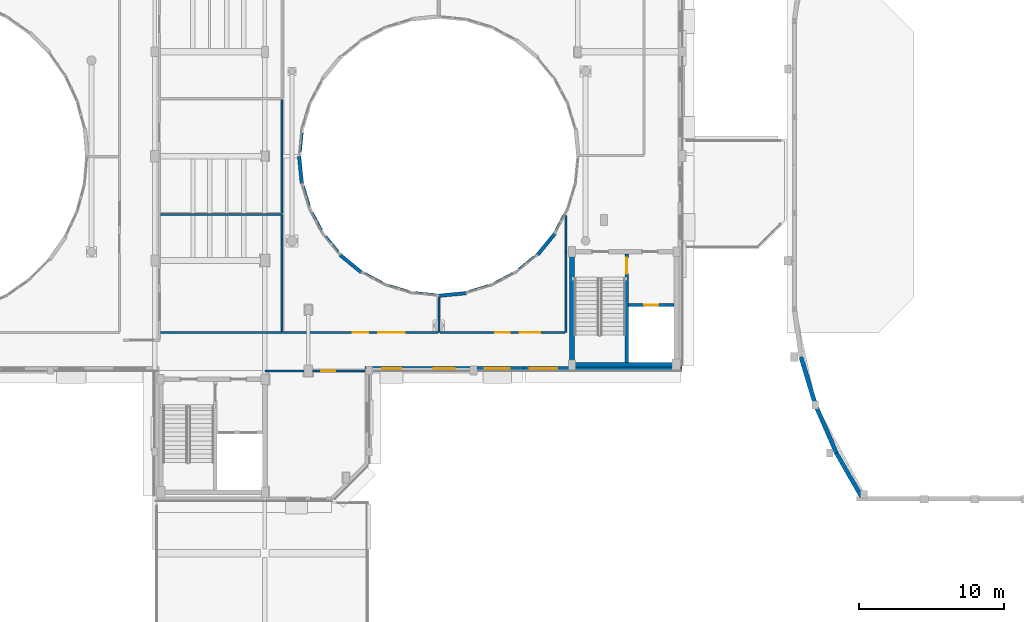
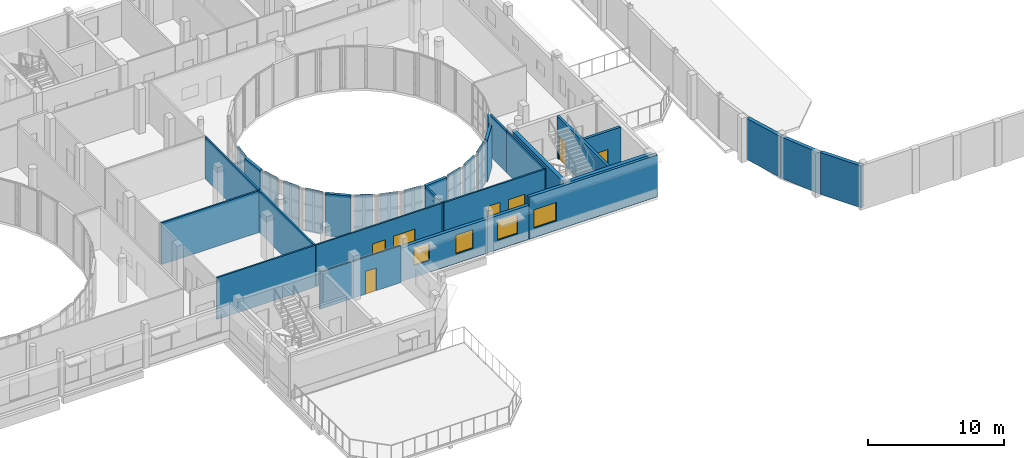
# One storey, part 69 of 89: 34 walls, 6 windows, 5 doors, 11 openings.
"""IFC4 building model written with IfcOpenShell, lengths in metres."""

import ifcopenshell
import ifcopenshell.guid

model = None  # the IFC model being written
_history = None  # IfcOwnerHistory: only IFC2X3 demands one
_inside = {}  # id of a spatial element -> (the spatial element, [elements in it])
_under = {}  # id of a project, library or spatial element -> (it, [spatial elements below it])
_declared = {}  # id of a project -> (the project, [libraries it declares])
_typed = {}  # id of a type object -> (the type object, [elements of that type])
_made_of = {}  # id of a material, layer set ... -> (it, [elements and type objects made of it])


def new_model(schema):
    """Start an empty IFC model of exactly this schema.

    Asked for "IFC4X3", IfcOpenShell would pick the latest addendum, in which some entities
    have other attributes; the version numbers below select the first issue.
    IFC2X3 requires an IfcOwnerHistory on every rooted entity: one is made here for all.
    """
    global model, _history
    if schema == "IFC4X3":
        model = ifcopenshell.file(schema_version=(4, 3, 0, 0))
    else:
        model = ifcopenshell.file(schema=schema)
    _inside.clear()
    _under.clear()
    _declared.clear()
    _typed.clear()
    _made_of.clear()
    _history = None
    if model.schema == "IFC2X3":
        org = make("IfcOrganization", Name="unknown")
        user = make(
            "IfcPersonAndOrganization",
            ThePerson=make("IfcPerson", FamilyName="unknown"),
            TheOrganization=org,
        )
        app = make(
            "IfcApplication",
            ApplicationDeveloper=org,
            Version="unknown",
            ApplicationFullName="unknown",
            ApplicationIdentifier="unknown",
        )
        _history = make(
            "IfcOwnerHistory",
            OwningUser=user,
            OwningApplication=app,
            ChangeAction="ADDED",
            CreationDate=0,
        )
    return model


def make(cls, **values):
    """One entity of the class cls with the attributes given. An attribute that is None is left unset."""
    return model.create_entity(
        cls, **{name: value for name, value in values.items() if value is not None}
    )


def rooted(cls, **values):
    """An entity with a GlobalId (a new one), such as an element, a storey or a relation."""
    return make(cls, GlobalId=ifcopenshell.guid.new(), OwnerHistory=_history, **values)


def si_unit(unit_type, name, prefix=None):
    """IfcSIUnit, for example si_unit("LENGTHUNIT", "METRE", prefix="MILLI")."""
    return make("IfcSIUnit", UnitType=unit_type, Prefix=prefix, Name=name)


def assignment(units):
    """IfcUnitAssignment: the units of a project."""
    return None if units is None else make("IfcUnitAssignment", Units=units)


def point(xyz):
    """IfcCartesianPoint."""
    return None if xyz is None else make("IfcCartesianPoint", Coordinates=xyz)


def direction(xyz):
    """IfcDirection."""
    return None if xyz is None else make("IfcDirection", DirectionRatios=xyz)


def frame(location, z_axis=None, x_axis=None):
    """IfcAxis2Placement3D, a coordinate frame: its origin and axes. An axis left out is left unset."""
    return make(
        "IfcAxis2Placement3D",
        Location=point(location),
        Axis=direction(z_axis),
        RefDirection=direction(x_axis),
    )


def frame_2d(location, x_axis=None):
    """IfcAxis2Placement2D, a coordinate frame in the plane: its origin and x axis."""
    return make(
        "IfcAxis2Placement2D", Location=point(location), RefDirection=direction(x_axis)
    )


def origin():
    """The frame at (0, 0, 0) with its axes left unset."""
    return frame((0.0, 0.0, 0.0))


def place(relative_to, where):
    """IfcLocalPlacement: puts the frame where relative to a parent placement (None: the world)."""
    return make(
        "IfcLocalPlacement", PlacementRelTo=relative_to, RelativePlacement=where
    )


def context(
    kind, dimensions, precision=None, world=None, true_north=None, identifier=None
):
    """IfcGeometricRepresentationContext, for example the 3D "Model" context."""
    return make(
        "IfcGeometricRepresentationContext",
        ContextIdentifier=identifier,
        ContextType=kind,
        CoordinateSpaceDimension=dimensions,
        Precision=precision,
        WorldCoordinateSystem=world,
        TrueNorth=true_north,
    )


def subcontext(parent, identifier, kind, view, scale=None):
    """IfcGeometricRepresentationSubContext, for example "Body" below "Model"."""
    return make(
        "IfcGeometricRepresentationSubContext",
        ContextIdentifier=identifier,
        ContextType=kind,
        ParentContext=parent,
        TargetScale=scale,
        TargetView=view,
    )


def project(units=None, contexts=None):
    """IfcProject with its units and contexts."""
    return rooted(
        "IfcProject",
        Name="project",
        RepresentationContexts=contexts,
        UnitsInContext=assignment(units),
    )


def spatial(cls, under=None, at=None, **own):
    """A site, building, storey or space (cls), placed at a placement, below another one or the project."""
    s = rooted(cls, ObjectPlacement=at, **own)
    if under is not None:
        _under.setdefault(under.id(), (under, []))[1].append(s)
    return s


def profile(cls, at=None, kind="AREA", **sizes):
    """A parametric profile (cls). Its sizes go by their IFC names, for example OverallWidth=200.0."""
    return make(cls, ProfileType=kind, Position=at, **sizes)


def rectangle(**sizes):
    """IfcRectangleProfileDef."""
    return profile("IfcRectangleProfileDef", **sizes)


def extrude(swept, where, along, depth):
    """IfcExtrudedAreaSolid: the profile swept, set in the frame where, extruded along a direction by depth."""
    return make(
        "IfcExtrudedAreaSolid",
        SweptArea=swept,
        Position=where,
        ExtrudedDirection=direction(along),
        Depth=depth,
    )


def shape(context_of_items, identifier, shape_type, items):
    """IfcShapeRepresentation: the items that make up one representation, for example the "Body"."""
    return make(
        "IfcShapeRepresentation",
        ContextOfItems=context_of_items,
        RepresentationIdentifier=identifier,
        RepresentationType=shape_type,
        Items=items,
    )


def material(Name=None, Category=None):
    """IfcMaterial."""
    return make("IfcMaterial", Name=Name, Category=Category)


def layer(
    of_material, thickness, ventilated=None, Name=None, Category=None, Priority=None
):
    """IfcMaterialLayer: one layer of a wall or slab, of a material (None: an air gap)."""
    return make(
        "IfcMaterialLayer",
        Material=of_material,
        LayerThickness=thickness,
        IsVentilated=ventilated,
        Name=Name,
        Category=Category,
        Priority=Priority,
    )


def layer_set(layers, Name=None):
    """IfcMaterialLayerSet."""
    return make("IfcMaterialLayerSet", MaterialLayers=layers, LayerSetName=Name)


def made_of(thing, what):
    """Note that an element or type object is made of a material, layer set ...; save() writes the relation."""
    if what is not None:
        _made_of.setdefault(what.id(), (what, []))[1].append(thing)
    return thing


def type_object(cls, material=None, **own):
    """A type object (cls), such as IfcWallType, which elements share."""
    return made_of(rooted(cls, **own), material)


def element(
    cls,
    number,
    at=None,
    inside=None,
    cuts=None,
    type_object=None,
    material=None,
    context=None,
    identifier="Body",
    shape_type=None,
    held_by="IfcProductDefinitionShape",
    body=None,
    shapes=None,
    **own,
):
    """One element of the class cls, such as IfcWall. Its Tag is "e" and its number.

    at: its placement. inside: the storey or other place that contains it. cuts: it is an
    opening in that element (IfcRelVoidsElement). A single representation is given by context,
    identifier, shape_type and body (its items); several are given by shapes. held_by: the class
    of the entity that holds the representations. save() writes the other relations.
    """
    e = rooted(cls, Tag="e%d" % number, ObjectPlacement=at, **own)
    if body is not None:
        shapes = [shape(context, identifier, shape_type, body)]
    if shapes is not None:
        e.Representation = make(held_by, Representations=shapes)
    if inside is not None:
        _inside.setdefault(inside.id(), (inside, []))[1].append(e)
    if cuts is not None:
        rooted(
            "IfcRelVoidsElement", RelatingBuildingElement=cuts, RelatedOpeningElement=e
        )
    if type_object is not None:
        _typed.setdefault(type_object.id(), (type_object, []))[1].append(e)
    return made_of(e, material)


def fill(opening, filler):
    """IfcRelFillsElement: the door or window that sits in an opening."""
    return rooted(
        "IfcRelFillsElement",
        RelatingOpeningElement=opening,
        RelatedBuildingElement=filler,
    )


def aggregate(whole, parts):
    """IfcRelAggregates: a whole, such as a stair, and the parts it consists of."""
    return rooted("IfcRelAggregates", RelatingObject=whole, RelatedObjects=parts)


def save(model, path):
    """Write the relations noted so far, then the file.

    IfcRelAggregates (storeys below a building ...), IfcRelContainedInSpatialStructure (elements
    in a storey), IfcRelDefinesByType, IfcRelAssociatesMaterial and IfcRelDeclares: one each for
    every whole, place, type object, material and project.
    """
    for whole, parts in _under.values():
        aggregate(whole, parts)
    for where, things in _inside.values():
        rooted(
            "IfcRelContainedInSpatialStructure",
            RelatedElements=things,
            RelatingStructure=where,
        )
    for kind, things in _typed.values():
        rooted("IfcRelDefinesByType", RelatedObjects=things, RelatingType=kind)
    for what, things in _made_of.values():
        rooted("IfcRelAssociatesMaterial", RelatedObjects=things, RelatingMaterial=what)
    for by, libraries in _declared.values():
        rooted("IfcRelDeclares", RelatingContext=by, RelatedDefinitions=libraries)
    model.write(path)


model = new_model("IFC4")

# Units and contexts
model_context = context("Model", 3, precision=1e-05, world=origin(), true_north=direction((0.0, 1.0)))
body_context = subcontext(model_context, "Body", "Model", "MODEL_VIEW")
ifc_project = project(units=[si_unit("LENGTHUNIT", "METRE"), si_unit("AREAUNIT", "SQUARE_METRE"), si_unit("VOLUMEUNIT", "CUBIC_METRE"), si_unit("PLANEANGLEUNIT", "RADIAN"), si_unit("MASSUNIT", "GRAM", prefix="KILO")], contexts=[model_context])

# Site, building, storey
site_placement = place(None, origin())
site = spatial("IfcSite", under=ifc_project, at=site_placement, CompositionType="ELEMENT")
building_placement = place(site_placement, origin())
building = spatial("IfcBuilding", under=site, at=building_placement, Name="Kelanivale Promenade Academy", CompositionType="ELEMENT")
storey_placement = place(building_placement, frame((0.0, 0.0, 12.199951171875)))
storey = spatial("IfcBuildingStorey", under=building, at=storey_placement, Name="L03", CompositionType="ELEMENT", Elevation=12.199951171875)

# Walls
ifc_material_1 = material(Name="Concrete C40/50", Category="concrete")
ifc_layer_1 = layer(ifc_material_1, 0.330078125)
ifc_layer_set_1 = layer_set([ifc_layer_1], Name="Concrete C40/50")
wall_type_1 = type_object("IfcWallType", Name="CW-S1 Wall 330mm", PredefinedType="SHEAR", material=ifc_layer_set_1)
wall_1_placement = place(storey_placement, frame((107.8349609375, 42.39990234375, 0.0), z_axis=(0.0, 0.0, 1.0), x_axis=(1.0, 0.0, 0.0)))
element("IfcWall", 1, at=wall_1_placement, inside=storey, type_object=wall_type_1, Name="CORE-3 RC shear wall S L03", PredefinedType="SHEAR", context=body_context, shape_type="SweptSolid", body=[
    extrude(rectangle(XDim=7.530029296875, YDim=0.330078125, at=frame_2d((3.76513671875, 0.0))), origin(), (0.0, 0.0, 1.0), 3.780029296875),
])
wall_2_placement = place(storey_placement, frame((108.0, 42.56494140625, 0.0), z_axis=(0.0, 0.0, 1.0), x_axis=(0.0, 1.0, 0.0)))
element("IfcWall", 2, at=wall_2_placement, inside=storey, type_object=wall_type_1, Name="CORE-3 RC shear wall W L03", PredefinedType="SHEAR", context=body_context, shape_type="SweptSolid", body=[
    extrude(rectangle(XDim=7.469970703125, YDim=0.330078125, at=frame_2d((3.73486328125, 0.0))), origin(), (0.0, 0.0, 1.0), 3.780029296875),
])

# Wall, opening, door
ifc_layer_2 = layer(ifc_material_1, 0.22509765625)
ifc_layer_set_2 = layer_set([ifc_layer_2], Name="Concrete C40/50")
wall_type_2 = type_object("IfcWallType", Name="CW-S2 Wall 225mm", PredefinedType="SHEAR", material=ifc_layer_set_2)
wall_3_placement = place(storey_placement, frame((111.885009765625, 46.530029296875, 0.0), z_axis=(0.0, 0.0, 1.0), x_axis=(1.0, 0.0, 0.0)))
wall_3 = element("IfcWall", 3, at=wall_3_placement, inside=storey, type_object=wall_type_2, Name="CORE-3 lift shaft front RC wall L03", PredefinedType="SHEAR", context=body_context, shape_type="SweptSolid", body=[
    extrude(rectangle(XDim=3.14990234375, YDim=0.22509765625, at=frame_2d((1.574951171875, 0.0))), origin(), (0.0, 0.0, 1.0), 3.780029296875),
])
opening_1_placement = place(wall_3_placement, frame((1.10009765625, 0.0, 0.0)))
opening_1 = element("IfcOpeningElement", 4, at=opening_1_placement, cuts=wall_3, Name="Opening LD-LF-FF3-L03", PredefinedType="OPENING", context=body_context, shape_type="SweptSolid", body=[
    extrude(rectangle(XDim=0.949951171875, YDim=2.14990234375, at=frame_2d((0.47509765625, 1.074951171875))), frame((0.0, 0.12255859375, 0.0), z_axis=(0.0, -1.0, 0.0), x_axis=(1.0, 0.0, 0.0)), (0.0, 0.0, 1.0), 0.2451171875),
])
ifc_material_2 = material(Name="Fire-rated steel-core teak veneer", Category="steel")
door_type_1 = type_object("IfcDoorType", Name="LD-FF1 Door 950x2150", OperationType="NOTDEFINED", PredefinedType="DOOR", material=ifc_material_2)
door_1_placement = place(opening_1_placement, origin())
door_1 = element("IfcDoor", 5, at=door_1_placement, inside=storey, type_object=door_type_1, Name="Firefighting lift landing door LD-LF-FF3-L03", OperationType="SLIDING_TO_LEFT", OverallHeight=2.14990234375, OverallWidth=0.949951171875, PredefinedType="DOOR", context=body_context, shape_type="SweptSolid", body=[
    extrude(rectangle(XDim=0.949951171875, YDim=2.14990234375, at=frame_2d((0.47509765625, 1.074951171875))), frame((0.0, 0.02490234375, 0.0), z_axis=(0.0, -1.0, 0.0), x_axis=(1.0, 0.0, 0.0)), (0.0, 0.0, 1.0), 0.050048828125),
])
fill(opening_1, door_1)

ifc_layer_3 = layer(ifc_material_1, 0.219970703125)
ifc_layer_set_3 = layer_set([ifc_layer_3], Name="Concrete C40/50")
wall_type_3 = type_object("IfcWallType", Name="CW-S3 Wall 220mm", PredefinedType="SHEAR", material=ifc_layer_set_3)
wall_4_placement = place(storey_placement, frame((111.77490234375, 42.56494140625, 0.0), z_axis=(0.0, 0.0, 1.0), x_axis=(0.0, 1.0, 0.0)))
wall_4 = element("IfcWall", 6, at=wall_4_placement, inside=storey, type_object=wall_type_3, Name="CORE-3 stair-lobby dividing RC wall L03", PredefinedType="SHEAR", context=body_context, shape_type="SweptSolid", body=[
    extrude(rectangle(XDim=7.469970703125, YDim=0.219970703125, at=frame_2d((3.73486328125, 0.0))), origin(), (0.0, 0.0, 1.0), 3.780029296875),
])
opening_2_placement = place(wall_4_placement, frame((6.1201171875, 0.0, 0.0)))
opening_2 = element("IfcOpeningElement", 7, at=opening_2_placement, cuts=wall_4, Name="Opening FD-CORE-3-SL-L03", PredefinedType="OPENING", context=body_context, shape_type="SweptSolid", body=[
    extrude(rectangle(XDim=1.10009765625, YDim=2.14990234375, at=frame_2d((0.550048828125, 1.074951171875))), frame((0.0, 0.1201171875, 0.0), z_axis=(0.0, -1.0, 0.0), x_axis=(1.0, 0.0, 0.0)), (0.0, 0.0, 1.0), 0.239990234375),
])
door_type_2 = type_object("IfcDoorType", Name="DT-F01 Door 1100x2150", OperationType="NOTDEFINED", PredefinedType="DOOR", material=ifc_material_2)
door_2_placement = place(opening_2_placement, origin())
door_2 = element("IfcDoor", 8, at=door_2_placement, inside=storey, type_object=door_type_2, Name="CORE-3 lobby-to-stair fire door L03", OperationType="SINGLE_SWING_RIGHT", OverallHeight=2.14990234375, OverallWidth=1.10009765625, PredefinedType="DOOR", context=body_context, shape_type="SweptSolid", body=[
    extrude(rectangle(XDim=1.10009765625, YDim=2.14990234375, at=frame_2d((0.550048828125, 1.074951171875))), frame((0.0, 0.02490234375, 0.0), z_axis=(0.0, -1.0, 0.0), x_axis=(1.0, 0.0, 0.0)), (0.0, 0.0, 1.0), 0.050048828125),
])
fill(opening_2, door_2)

# Walls
ifc_material_3 = material(Name="Insulated terracotta-clad masonry wall 300 mm", Category="masonry")
ifc_layer_4 = layer(ifc_material_3, 0.300048828125)
ifc_layer_set_4 = layer_set([ifc_layer_4], Name="Insulated terracotta-clad masonry wall 300 mm")
wall_type_4 = type_object("IfcWallType", Name="EW-01 Wall 300mm", PredefinedType="SOLIDWALL", material=ifc_layer_set_4)
wall_5_placement = place(storey_placement, frame((126.25, 36.31396484375, 0.0), z_axis=(0.0, 0.0, 1.0), x_axis=(0.497392560198, -0.867525585248, 0.0)))
element("IfcWall", 9, at=wall_5_placement, inside=storey, type_object=wall_type_4, Name="Assembly Hall Arc Pavilion inner crescent wall L03", PredefinedType="SOLIDWALL", context=body_context, shape_type="SweptSolid", body=[
    extrude(rectangle(XDim=3.47998046875, YDim=0.300048828125, at=frame_2d((1.739990234375, 0.0))), origin(), (0.0, 0.0, 1.0), 3.780029296875),
])
wall_6_placement = place(storey_placement, frame((124.800048828125, 39.62890625, 0.0), z_axis=(0.0, 0.0, 1.0), x_axis=(0.400740958437, -0.916191401526, 0.0)))
element("IfcWall", 10, at=wall_6_placement, inside=storey, type_object=wall_type_4, Name="Assembly Hall Arc Pavilion inner crescent wall L03", PredefinedType="SOLIDWALL", context=body_context, shape_type="SweptSolid", body=[
    extrude(rectangle(XDim=3.6181640625, YDim=0.300048828125, at=frame_2d((1.80908203125, 0.0))), origin(), (0.0, 0.0, 1.0), 3.695068359375),
])
wall_7_placement = place(storey_placement, frame((123.800048828125, 42.943115234375, 0.0), z_axis=(0.0, 0.0, 1.0), x_axis=(0.288868004026, -0.957368934241, 0.0)))
element("IfcWall", 11, at=wall_7_placement, inside=storey, type_object=wall_type_4, Name="Assembly Hall Arc Pavilion inner crescent wall L03", PredefinedType="SOLIDWALL", context=body_context, shape_type="SweptSolid", body=[
    extrude(rectangle(XDim=3.461669921875, YDim=0.300048828125, at=frame_2d((1.73095703125, 0.0))), origin(), (0.0, 0.0, 1.0), 3.695068359375),
])

# Wall, openings, windows
ifc_material_4 = material(Name="Insulated ivory stucco masonry wall 280 mm", Category="masonry")
ifc_layer_5 = layer(ifc_material_4, 0.280029296875)
ifc_layer_set_5 = layer_set([ifc_layer_5], Name="Insulated ivory stucco masonry wall 280 mm")
wall_type_5 = type_object("IfcWallType", Name="EW-02 Wall 280mm", PredefinedType="SOLIDWALL", material=ifc_layer_set_5)
wall_8_placement = place(storey_placement, frame((93.719970703125, 42.139892578125, 0.0), z_axis=(0.0, 0.0, 1.0), x_axis=(1.0, 0.0, 0.0)))
wall_8 = element("IfcWall", 12, at=wall_8_placement, inside=storey, type_object=wall_type_5, Name="L03 exterior facade wall EW-L03-ORT-0468", PredefinedType="SOLIDWALL", context=body_context, shape_type="SweptSolid", body=[
    extrude(rectangle(XDim=10.93994140625, YDim=0.280029296875, at=frame_2d((5.469970703125, 0.0))), origin(), (0.0, 0.0, 1.0), 3.06005859375),
])
opening_3_placement = place(wall_8_placement, frame((1.173095703125, 0.0, 1.050048828125)))
opening_3 = element("IfcOpeningElement", 13, at=opening_3_placement, cuts=wall_8, Name="Opening WT-23", PredefinedType="OPENING", context=body_context, shape_type="SweptSolid", body=[
    extrude(rectangle(XDim=1.300048828125, YDim=1.60009765625, at=frame_2d((0.64990234375, 0.800048828125))), frame((0.0, 0.14990234375, 0.0), z_axis=(0.0, -1.0, 0.0), x_axis=(1.0, 0.0, 0.0)), (0.0, 0.0, 1.0), 0.300048828125),
])
opening_4_placement = place(wall_8_placement, frame((4.7451171875, 0.0, 0.85009765625)))
opening_4 = element("IfcOpeningElement", 14, at=opening_4_placement, cuts=wall_8, Name="Opening WT-24", PredefinedType="OPENING", context=body_context, shape_type="SweptSolid", body=[
    extrude(rectangle(XDim=1.449951171875, YDim=1.699951171875, at=frame_2d((0.72509765625, 0.85009765625))), frame((0.0, 0.14990234375, 0.0), z_axis=(0.0, -1.0, 0.0), x_axis=(1.0, 0.0, 0.0)), (0.0, 0.0, 1.0), 0.300048828125),
])
opening_5_placement = place(wall_8_placement, frame((8.26708984375, 0.0, 0.85009765625)))
opening_5 = element("IfcOpeningElement", 15, at=opening_5_placement, cuts=wall_8, Name="Opening WT-25", PredefinedType="OPENING", context=body_context, shape_type="SweptSolid", body=[
    extrude(rectangle(XDim=1.699951171875, YDim=1.75, at=frame_2d((0.85009765625, 0.875))), frame((0.0, 0.14990234375, 0.0), z_axis=(0.0, -1.0, 0.0), x_axis=(1.0, 0.0, 0.0)), (0.0, 0.0, 1.0), 0.300048828125),
])
ifc_material_5 = material(Name="Bronze anodised aluminium frame with low-E laminated glass", Category="aluminium")
window_type_1 = type_object("IfcWindowType", Name="WT-23 Window 1300x1600", PartitioningType="SINGLE_PANEL", PredefinedType="WINDOW", material=ifc_material_5)
window_1_placement = place(opening_3_placement, origin())
window_1 = element("IfcWindow", 16, at=window_1_placement, inside=storey, type_object=window_type_1, Name="Window WT-23", OverallHeight=1.60009765625, OverallWidth=1.300048828125, PartitioningType="SINGLE_PANEL", PredefinedType="WINDOW", context=body_context, shape_type="SweptSolid", body=[
    extrude(rectangle(XDim=1.300048828125, YDim=1.60009765625, at=frame_2d((0.64990234375, 0.800048828125))), frame((0.0, 0.030029296875, 0.0), z_axis=(0.0, -1.0, 0.0), x_axis=(1.0, 0.0, 0.0)), (0.0, 0.0, 1.0), 0.06005859375),
])
fill(opening_3, window_1)
window_type_2 = type_object("IfcWindowType", Name="WT-24 Window 1450x1700", PartitioningType="SINGLE_PANEL", PredefinedType="WINDOW", material=ifc_material_5)
window_2_placement = place(opening_4_placement, origin())
window_2 = element("IfcWindow", 17, at=window_2_placement, inside=storey, type_object=window_type_2, Name="Window WT-24", OverallHeight=1.699951171875, OverallWidth=1.449951171875, PartitioningType="SINGLE_PANEL", PredefinedType="WINDOW", context=body_context, shape_type="SweptSolid", body=[
    extrude(rectangle(XDim=1.449951171875, YDim=1.699951171875, at=frame_2d((0.72509765625, 0.85009765625))), frame((0.0, 0.030029296875, 0.0), z_axis=(0.0, -1.0, 0.0), x_axis=(1.0, 0.0, 0.0)), (0.0, 0.0, 1.0), 0.06005859375),
])
fill(opening_4, window_2)
window_type_3 = type_object("IfcWindowType", Name="WT-25 Window 1700x1750", PartitioningType="SINGLE_PANEL", PredefinedType="WINDOW", material=ifc_material_5)
window_3_placement = place(opening_5_placement, origin())
window_3 = element("IfcWindow", 18, at=window_3_placement, inside=storey, type_object=window_type_3, Name="Window WT-25", OverallHeight=1.75, OverallWidth=1.699951171875, PartitioningType="SINGLE_PANEL", PredefinedType="WINDOW", context=body_context, shape_type="SweptSolid", body=[
    extrude(rectangle(XDim=1.699951171875, YDim=1.75, at=frame_2d((0.85009765625, 0.875))), frame((0.0, 0.030029296875, 0.0), z_axis=(0.0, -1.0, 0.0), x_axis=(1.0, 0.0, 0.0)), (0.0, 0.0, 1.0), 0.06005859375),
])
fill(opening_5, window_3)

# Wall, opening, window
wall_9_placement = place(storey_placement, frame((104.659912109375, 42.139892578125, 0.0), z_axis=(0.0, 0.0, 1.0), x_axis=(1.0, 0.0, 0.0)))
wall_9 = element("IfcWall", 19, at=wall_9_placement, inside=storey, type_object=wall_type_5, Name="L03 exterior facade wall EW-L03-ORT-0469", PredefinedType="SOLIDWALL", context=body_context, shape_type="SweptSolid", body=[
    extrude(rectangle(XDim=10.940185546875, YDim=0.280029296875, at=frame_2d((5.47021484375, 0.0))), origin(), (0.0, 0.0, 1.0), 3.780029296875),
])
opening_6_placement = place(wall_9_placement, frame((0.423095703125, 0.0, 0.85009765625)))
opening_6 = element("IfcOpeningElement", 20, at=opening_6_placement, cuts=wall_9, Name="Opening WT-26", PredefinedType="OPENING", context=body_context, shape_type="SweptSolid", body=[
    extrude(rectangle(XDim=1.89990234375, YDim=1.64990234375, at=frame_2d((0.949951171875, 0.824951171875))), frame((0.0, 0.14990234375, 0.0), z_axis=(0.0, -1.0, 0.0), x_axis=(1.0, 0.0, 0.0)), (0.0, 0.0, 1.0), 0.300048828125),
])
window_type_4 = type_object("IfcWindowType", Name="WT-26 Window 1900x1650", PartitioningType="SINGLE_PANEL", PredefinedType="WINDOW", material=ifc_material_5)
window_4_placement = place(opening_6_placement, origin())
window_4 = element("IfcWindow", 21, at=window_4_placement, inside=storey, type_object=window_type_4, Name="Window WT-26", OverallHeight=1.64990234375, OverallWidth=1.89990234375, PartitioningType="SINGLE_PANEL", PredefinedType="WINDOW", context=body_context, shape_type="SweptSolid", body=[
    extrude(rectangle(XDim=1.89990234375, YDim=1.64990234375, at=frame_2d((0.949951171875, 0.824951171875))), frame((0.0, 0.030029296875, 0.0), z_axis=(0.0, -1.0, 0.0), x_axis=(1.0, 0.0, 0.0)), (0.0, 0.0, 1.0), 0.06005859375),
])
fill(opening_6, window_4)

# Walls
ifc_material_6 = material(Name="Insulated courtyard stucco masonry wall 240 mm", Category="masonry")
ifc_layer_6 = layer(ifc_material_6, 0.239990234375)
ifc_layer_set_6 = layer_set([ifc_layer_6], Name="Insulated courtyard stucco masonry wall 240 mm")
wall_type_6 = type_object("IfcWallType", Name="EW-04 Wall 240mm", PredefinedType="SOLIDWALL", material=ifc_layer_set_6)
wall_10_placement = place(storey_placement, frame((89.158935546875, 56.81103515625, 0.0), z_axis=(0.0, 0.0, 1.0), x_axis=(0.097797060374, -0.995206378086, 0.0)))
element("IfcWall", 22, at=wall_10_placement, inside=storey, type_object=wall_type_6, Name="L03 round courtyard stucco wall", PredefinedType="SOLIDWALL", context=body_context, shape_type="SweptSolid", body=[
    extrude(rectangle(XDim=1.912353515625, YDim=0.239990234375, at=frame_2d((0.9560546875, 0.0))), origin(), (0.0, 0.0, 1.0), 3.780029296875),
])
wall_11_placement = place(storey_placement, frame((91.97412109375, 49.989990234375, 0.0), z_axis=(0.0, 0.0, 1.0), x_axis=(0.772983444074, -0.634426193649, 0.0)))
element("IfcWall", 23, at=wall_11_placement, inside=storey, type_object=wall_type_6, Name="L03 round courtyard stucco wall", PredefinedType="SOLIDWALL", context=body_context, shape_type="SweptSolid", body=[
    extrude(rectangle(XDim=1.911865234375, YDim=0.239990234375, at=frame_2d((0.9560546875, 0.0))), origin(), (0.0, 0.0, 1.0), 3.780029296875),
])
wall_12_placement = place(storey_placement, frame((98.7890625, 47.158935546875, 0.0), z_axis=(0.0, 0.0, 1.0), x_axis=(0.99520515676, 0.097809488078, 0.0)))
element("IfcWall", 24, at=wall_12_placement, inside=storey, type_object=wall_type_6, Name="L03 round courtyard stucco wall", PredefinedType="SOLIDWALL", context=body_context, shape_type="SweptSolid", body=[
    extrude(rectangle(XDim=1.912109375, YDim=0.239990234375, at=frame_2d((0.9560546875, 0.0))), origin(), (0.0, 0.0, 1.0), 3.780029296875),
])
wall_13_placement = place(storey_placement, frame((105.610107421875, 49.97412109375, 0.0), z_axis=(0.0, 0.0, 1.0), x_axis=(0.634426193649, 0.772983444074, 0.0)))
element("IfcWall", 25, at=wall_13_placement, inside=storey, type_object=wall_type_6, Name="L03 round courtyard stucco wall", PredefinedType="SOLIDWALL", context=body_context, shape_type="SweptSolid", body=[
    extrude(rectangle(XDim=1.911865234375, YDim=0.239990234375, at=frame_2d((0.9560546875, 0.0))), origin(), (0.0, 0.0, 1.0), 3.780029296875),
])
ifc_material_7 = material(Name="Acoustic double-stud gypsum board partition 140 mm", Category="masonry")
ifc_layer_7 = layer(ifc_material_7, 0.139892578125)
ifc_layer_set_7 = layer_set([ifc_layer_7], Name="Acoustic double-stud gypsum board partition 140 mm")
wall_type_7 = type_object("IfcWallType", Name="IW-04 Wall 140mm", PredefinedType="PARTITIONING", material=ifc_layer_set_7)
wall_14_placement = place(storey_placement, frame((79.597900390625, 44.6298828125, 0.0), z_axis=(0.0, 0.0, 1.0), x_axis=(1.0, 0.0, 0.0)))
element("IfcWall", 26, at=wall_14_placement, inside=storey, type_object=wall_type_7, Name="L03 partition Secondary Classroom", PredefinedType="PARTITIONING", context=body_context, shape_type="SweptSolid", body=[
    extrude(rectangle(XDim=8.3720703125, YDim=0.139892578125, at=frame_2d((4.18603515625, 0.0))), origin(), (0.0, 0.0, 1.0), 3.755126953125),
])
wall_15_placement = place(storey_placement, frame((87.969970703125, 44.697998046875, 0.0), z_axis=(0.0, 0.0, 1.0), x_axis=(0.0, 1.0, 0.0)))
element("IfcWall", 27, at=wall_15_placement, inside=storey, type_object=wall_type_7, Name="L03 partition Secondary Classroom", PredefinedType="PARTITIONING", context=body_context, shape_type="SweptSolid", body=[
    extrude(rectangle(XDim=8.072021484375, YDim=0.139892578125, at=frame_2d((4.0361328125, 0.0))), origin(), (0.0, 0.0, 1.0), 3.755126953125),
])
wall_16_placement = place(storey_placement, frame((87.902099609375, 52.77001953125, 0.0), z_axis=(0.0, 0.0, 1.0), x_axis=(-1.0, 0.0, 0.0)))
element("IfcWall", 28, at=wall_16_placement, inside=storey, type_object=wall_type_7, Name="L03 partition Secondary Classroom", PredefinedType="PARTITIONING", context=body_context, shape_type="SweptSolid", body=[
    extrude(rectangle(XDim=8.30419921875, YDim=0.139892578125, at=frame_2d((4.152099609375, 0.0))), origin(), (0.0, 0.0, 1.0), 3.755126953125),
])
wall_17_placement = place(storey_placement, frame((87.969970703125, 52.830078125, 0.0), z_axis=(0.0, 0.0, 1.0), x_axis=(0.0, 1.0, 0.0)))
element("IfcWall", 29, at=wall_17_placement, inside=storey, type_object=wall_type_7, Name="L03 partition Art Studio", PredefinedType="PARTITIONING", context=body_context, shape_type="SweptSolid", body=[
    extrude(rectangle(XDim=7.871826171875, YDim=0.139892578125, at=frame_2d((3.93603515625, 0.0))), origin(), (0.0, 0.0, 1.0), 3.755126953125),
])
wall_18_placement = place(storey_placement, frame((107.570068359375, 44.6298828125, 0.0), z_axis=(0.0, 0.0, 1.0), x_axis=(0.0, 1.0, 0.0)))
element("IfcWall", 30, at=wall_18_placement, inside=storey, type_object=wall_type_7, Name="L03 partition Secondary Classroom East A", PredefinedType="PARTITIONING", context=body_context, shape_type="SweptSolid", body=[
    extrude(rectangle(XDim=5.60009765625, YDim=0.139892578125, at=frame_2d((2.800048828125, 0.0))), origin(), (0.0, 0.0, 1.0), 3.755126953125),
])
wall_19_placement = place(storey_placement, frame((107.570068359375, 50.22998046875, 0.0), z_axis=(0.0, 0.0, 1.0), x_axis=(0.0, 1.0, 0.0)))
element("IfcWall", 31, at=wall_19_placement, inside=storey, type_object=wall_type_7, Name="L03 partition Secondary Classroom East A", PredefinedType="PARTITIONING", context=body_context, shape_type="SweptSolid", body=[
    extrude(rectangle(XDim=2.4580078125, YDim=0.139892578125, at=frame_2d((1.22900390625, 0.0))), origin(), (0.0, 0.0, 1.0), 3.755126953125),
])
wall_20_placement = place(storey_placement, frame((107.452880859375, 52.783935546875, 0.0), z_axis=(0.0, 0.0, 1.0), x_axis=(-0.471390738411, -0.881924470542, 0.0)))
element("IfcWall", 32, at=wall_20_placement, inside=storey, type_object=wall_type_7, Name="L03 partition Secondary Classroom East A", PredefinedType="PARTITIONING", context=body_context, shape_type="SweptSolid", body=[
    extrude(rectangle(XDim=1.215576171875, YDim=0.139892578125, at=frame_2d((0.60791015625, 0.0))), origin(), (0.0, 0.0, 1.0), 3.755126953125),
])
for number, where, z_axis, x_axis, name in (
    (33, (105.366943359375, 49.867919921875, 0.0), (0.0, 0.0, 1.0), (-0.772978341916, -0.634432410055, 0.0), "L03 partition Secondary Classroom East A"),
    (34, (103.887939453125, 48.719970703125, 0.0), (0.0, 0.0, 1.0), (-0.882198489785, -0.470877717269, 0.0), "L03 partition Secondary Classroom East A"),
):
    element("IfcWall", number, at=place(storey_placement, frame(where, z_axis=z_axis, x_axis=x_axis)), inside=storey, type_object=wall_type_7, Name=name, PredefinedType="PARTITIONING", context=body_context, shape_type="SweptSolid", body=[
        extrude(rectangle(XDim=1.35693359375, YDim=0.139892578125, at=frame_2d((0.678466796875, 0.0))), origin(), (0.0, 0.0, 1.0), 3.755126953125),
    ])
wall_21_placement = place(storey_placement, frame((102.214111328125, 47.883056640625, 0.0), z_axis=(0.0, 0.0, 1.0), x_axis=(-0.956945716193, -0.290266939661, 0.0)))
element("IfcWall", 35, at=wall_21_placement, inside=storey, type_object=wall_type_7, Name="L03 partition Secondary Classroom East A", PredefinedType="PARTITIONING", context=body_context, shape_type="SweptSolid", body=[
    extrude(rectangle(XDim=1.357421875, YDim=0.139892578125, at=frame_2d((0.6787109375, 0.0))), origin(), (0.0, 0.0, 1.0), 3.755126953125),
])
wall_22_placement = place(storey_placement, frame((98.830078125, 47.0439453125, 0.0), z_axis=(0.0, 0.0, 1.0), x_axis=(0.0, -1.0, 0.0)))
element("IfcWall", 36, at=wall_22_placement, inside=storey, type_object=wall_type_7, Name="L03 partition Secondary Classroom East A", PredefinedType="PARTITIONING", context=body_context, shape_type="SweptSolid", body=[
    extrude(rectangle(XDim=2.4140625, YDim=0.139892578125, at=frame_2d((1.20703125, 0.0))), origin(), (0.0, 0.0, 1.0), 3.755126953125),
])

# Wall, openings, door, window
wall_23_placement = place(storey_placement, frame((98.89794921875, 44.6298828125, 0.0), z_axis=(0.0, 0.0, 1.0), x_axis=(1.0, 0.0, 0.0)))
wall_23 = element("IfcWall", 37, at=wall_23_placement, inside=storey, type_object=wall_type_7, Name="L03 partition Secondary Classroom East A", PredefinedType="PARTITIONING", context=body_context, shape_type="SweptSolid", body=[
    extrude(rectangle(XDim=8.60400390625, YDim=0.139892578125, at=frame_2d((4.302001953125, 0.0))), origin(), (0.0, 0.0, 1.0), 3.755126953125),
])
opening_7_placement = place(wall_23_placement, frame((3.81201171875, 0.0, 0.0)))
opening_7 = element("IfcOpeningElement", 38, at=opening_7_placement, cuts=wall_23, Name="Opening ID-L03-157", PredefinedType="OPENING", context=body_context, shape_type="SweptSolid", body=[
    extrude(rectangle(XDim=0.97998046875, YDim=2.1201171875, at=frame_2d((0.489990234375, 1.06005859375))), frame((0.0, 0.080078125, 0.0), z_axis=(0.0, -1.0, 0.0), x_axis=(1.0, 0.0, 0.0)), (0.0, 0.0, 1.0), 0.159912109375),
])
opening_8_placement = place(wall_23_placement, frame((5.491943359375, 0.0, 1.050048828125)))
opening_8 = element("IfcOpeningElement", 39, at=opening_8_placement, cuts=wall_23, Name="Opening WT-I03", PredefinedType="OPENING", context=body_context, shape_type="SweptSolid", body=[
    extrude(rectangle(XDim=1.39990234375, YDim=1.050048828125, at=frame_2d((0.699951171875, 0.52490234375))), frame((0.0, 0.080078125, 0.0), z_axis=(0.0, -1.0, 0.0), x_axis=(1.0, 0.0, 0.0)), (0.0, 0.0, 1.0), 0.159912109375),
])
ifc_material_8 = material(Name="Solid-core tropical teak timber", Category="wood")
door_type_3 = type_object("IfcDoorType", Name="DT-I14 Door 980x2120", OperationType="NOTDEFINED", PredefinedType="DOOR", material=ifc_material_8)
door_3_placement = place(opening_7_placement, origin())
door_3 = element("IfcDoor", 40, at=door_3_placement, inside=storey, type_object=door_type_3, Name="Secondary Classroom East A door ID-L03-157", OperationType="SINGLE_SWING_LEFT", OverallHeight=2.1201171875, OverallWidth=0.97998046875, PredefinedType="DOOR", context=body_context, shape_type="SweptSolid", body=[
    extrude(rectangle(XDim=0.97998046875, YDim=2.1201171875, at=frame_2d((0.489990234375, 1.06005859375))), frame((0.0, 0.02490234375, 0.0), z_axis=(0.0, -1.0, 0.0), x_axis=(1.0, 0.0, 0.0)), (0.0, 0.0, 1.0), 0.050048828125),
])
fill(opening_7, door_3)
window_type_5 = type_object("IfcWindowType", Name="WT-I03 Window 1400x1050", PartitioningType="SINGLE_PANEL", PredefinedType="WINDOW", material=ifc_material_5)
window_5_placement = place(opening_8_placement, origin())
window_5 = element("IfcWindow", 41, at=window_5_placement, inside=storey, type_object=window_type_5, Name="Interior observation window WT-I03", OverallHeight=1.050048828125, OverallWidth=1.39990234375, PartitioningType="SINGLE_PANEL", PredefinedType="WINDOW", context=body_context, shape_type="SweptSolid", body=[
    extrude(rectangle(XDim=1.39990234375, YDim=1.050048828125, at=frame_2d((0.699951171875, 0.52490234375))), frame((0.0, 0.030029296875, 0.0), z_axis=(0.0, -1.0, 0.0), x_axis=(1.0, 0.0, 0.0)), (0.0, 0.0, 1.0), 0.06005859375),
])
fill(opening_8, window_5)

# Walls
for number, where, z_axis, x_axis, name in (
    (42, (91.867919921875, 50.23291015625, 0.0), (0.0, 0.0, 1.0), (-0.634344180177, 0.773050749353, 0.0), "L03 partition Secondary Classroom Courtyard East-South"),
    (43, (90.719970703125, 51.7119140625, 0.0), (0.0, 0.0, 1.0), (-0.470877717269, 0.882198489785, 0.0), "L03 partition Secondary Classroom Courtyard East-South"),
):
    element("IfcWall", number, at=place(storey_placement, frame(where, z_axis=z_axis, x_axis=x_axis)), inside=storey, type_object=wall_type_7, Name=name, PredefinedType="PARTITIONING", context=body_context, shape_type="SweptSolid", body=[
        extrude(rectangle(XDim=1.35693359375, YDim=0.139892578125, at=frame_2d((0.678466796875, 0.0))), origin(), (0.0, 0.0, 1.0), 3.755126953125),
    ])
wall_24_placement = place(storey_placement, frame((89.883056640625, 53.385986328125, 0.0), z_axis=(0.0, 0.0, 1.0), x_axis=(-0.290266939661, 0.956945716193, 0.0)))
element("IfcWall", 44, at=wall_24_placement, inside=storey, type_object=wall_type_7, Name="L03 partition Secondary Classroom Courtyard East-South", PredefinedType="PARTITIONING", context=body_context, shape_type="SweptSolid", body=[
    extrude(rectangle(XDim=1.357421875, YDim=0.139892578125, at=frame_2d((0.6787109375, 0.0))), origin(), (0.0, 0.0, 1.0), 3.755126953125),
])

# Wall, openings, door, window
wall_25_placement = place(storey_placement, frame((88.030029296875, 44.6298828125, 0.0), z_axis=(0.0, 0.0, 1.0), x_axis=(1.0, 0.0, 0.0)))
wall_25 = element("IfcWall", 45, at=wall_25_placement, inside=storey, type_object=wall_type_7, Name="L03 partition Secondary Classroom Courtyard East-South", PredefinedType="PARTITIONING", context=body_context, shape_type="SweptSolid", body=[
    extrude(rectangle(XDim=10.73193359375, YDim=0.139892578125, at=frame_2d((5.365966796875, 0.0))), origin(), (0.0, 0.0, 1.0), 3.755126953125),
])
opening_9_placement = place(wall_25_placement, frame((4.825927734375, 0.0, 0.0)))
opening_9 = element("IfcOpeningElement", 46, at=opening_9_placement, cuts=wall_25, Name="Opening ID-L03-159", PredefinedType="OPENING", context=body_context, shape_type="SweptSolid", body=[
    extrude(rectangle(XDim=1.080078125, YDim=2.159912109375, at=frame_2d((0.5400390625, 1.080078125))), frame((0.0, 0.080078125, 0.0), z_axis=(0.0, -1.0, 0.0), x_axis=(1.0, 0.0, 0.0)), (0.0, 0.0, 1.0), 0.159912109375),
])
opening_10_placement = place(wall_25_placement, frame((6.60595703125, 0.0, 1.050048828125)))
opening_10 = element("IfcOpeningElement", 47, at=opening_10_placement, cuts=wall_25, Name="Opening WT-I02", PredefinedType="OPENING", context=body_context, shape_type="SweptSolid", body=[
    extrude(rectangle(XDim=1.800048828125, YDim=1.199951171875, at=frame_2d((0.89990234375, 0.60009765625))), frame((0.0, 0.080078125, 0.0), z_axis=(0.0, -1.0, 0.0), x_axis=(1.0, 0.0, 0.0)), (0.0, 0.0, 1.0), 0.159912109375),
])
door_type_4 = type_object("IfcDoorType", Name="DT-I16 Door 1080x2160", OperationType="NOTDEFINED", PredefinedType="DOOR", material=ifc_material_8)
door_4_placement = place(opening_9_placement, origin())
door_4 = element("IfcDoor", 48, at=door_4_placement, inside=storey, type_object=door_type_4, Name="Secondary Classroom Courtyard East-South door ID-L03-159", OperationType="SINGLE_SWING_LEFT", OverallHeight=2.159912109375, OverallWidth=1.080078125, PredefinedType="DOOR", context=body_context, shape_type="SweptSolid", body=[
    extrude(rectangle(XDim=1.080078125, YDim=2.159912109375, at=frame_2d((0.5400390625, 1.080078125))), frame((0.0, 0.02490234375, 0.0), z_axis=(0.0, -1.0, 0.0), x_axis=(1.0, 0.0, 0.0)), (0.0, 0.0, 1.0), 0.050048828125),
])
fill(opening_9, door_4)
window_type_6 = type_object("IfcWindowType", Name="WT-I02 Window 1800x1200", PartitioningType="SINGLE_PANEL", PredefinedType="WINDOW", material=ifc_material_5)
window_6_placement = place(opening_10_placement, origin())
window_6 = element("IfcWindow", 49, at=window_6_placement, inside=storey, type_object=window_type_6, Name="Interior observation window WT-I02", OverallHeight=1.199951171875, OverallWidth=1.800048828125, PartitioningType="SINGLE_PANEL", PredefinedType="WINDOW", context=body_context, shape_type="SweptSolid", body=[
    extrude(rectangle(XDim=1.800048828125, YDim=1.199951171875, at=frame_2d((0.89990234375, 0.60009765625))), frame((0.0, 0.030029296875, 0.0), z_axis=(0.0, -1.0, 0.0), x_axis=(1.0, 0.0, 0.0)), (0.0, 0.0, 1.0), 0.06005859375),
])
fill(opening_10, window_6)

# Walls
wall_26_placement = place(storey_placement, frame((98.52294921875, 47.257080078125, 0.0), z_axis=(0.0, 0.0, 1.0), x_axis=(-0.99513072014, 0.098563937798, 0.0)))
element("IfcWall", 50, at=wall_26_placement, inside=storey, type_object=wall_type_7, Name="L03 partition Secondary Classroom Courtyard East-South", PredefinedType="PARTITIONING", context=body_context, shape_type="SweptSolid", body=[
    extrude(rectangle(XDim=1.337646484375, YDim=0.139892578125, at=frame_2d((0.6689453125, 0.0))), origin(), (0.0, 0.0, 1.0), 3.755126953125),
])
wall_27_placement = place(storey_placement, frame((96.68505859375, 47.489013671875, 0.0), z_axis=(0.0, 0.0, 1.0), x_axis=(-0.956945716193, 0.290266939661, 0.0)))
element("IfcWall", 51, at=wall_27_placement, inside=storey, type_object=wall_type_7, Name="L03 partition Secondary Classroom Courtyard East-South", PredefinedType="PARTITIONING", context=body_context, shape_type="SweptSolid", body=[
    extrude(rectangle(XDim=1.357421875, YDim=0.139892578125, at=frame_2d((0.6787109375, 0.0))), origin(), (0.0, 0.0, 1.0), 3.755126953125),
])
wall_28_placement = place(storey_placement, frame((94.908935546875, 48.0810546875, 0.0), z_axis=(0.0, 0.0, 1.0), x_axis=(-0.882198489785, 0.470877717269, 0.0)))
element("IfcWall", 52, at=wall_28_placement, inside=storey, type_object=wall_type_7, Name="L03 partition Secondary Classroom Courtyard East-South", PredefinedType="PARTITIONING", context=body_context, shape_type="SweptSolid", body=[
    extrude(rectangle(XDim=1.35693359375, YDim=0.139892578125, at=frame_2d((0.678466796875, 0.0))), origin(), (0.0, 0.0, 1.0), 3.755126953125),
])
wall_29_placement = place(storey_placement, frame((89.257080078125, 57.076904296875, 0.0), z_axis=(0.0, 0.0, 1.0), x_axis=(0.098563937798, 0.99513072014, 0.0)))
element("IfcWall", 53, at=wall_29_placement, inside=storey, type_object=wall_type_7, Name="L03 partition Art Studio Courtyard East-North", PredefinedType="PARTITIONING", context=body_context, shape_type="SweptSolid", body=[
    extrude(rectangle(XDim=1.337646484375, YDim=0.139892578125, at=frame_2d((0.6689453125, 0.0))), origin(), (0.0, 0.0, 1.0), 3.755126953125),
])

# Wall, opening, door
ifc_material_9 = material(Name="Lightweight gypsum stud partition 115 mm", Category="masonry")
ifc_layer_8 = layer(ifc_material_9, 0.114990234375)
ifc_layer_set_8 = layer_set([ifc_layer_8], Name="Lightweight gypsum stud partition 115 mm")
wall_type_8 = type_object("IfcWallType", Name="IW-06 Wall 115mm", PredefinedType="PARTITIONING", material=ifc_layer_set_8)
wall_30_placement = place(storey_placement, frame((93.721923828125, 41.969970703125, 0.0), z_axis=(0.0, 0.0, 1.0), x_axis=(-1.0, 0.0, 0.0)))
wall_30 = element("IfcWall", 54, at=wall_30_placement, inside=storey, type_object=wall_type_8, Name="L03 partition Departmental Staff Office", PredefinedType="PARTITIONING", context=body_context, shape_type="SweptSolid", body=[
    extrude(rectangle(XDim=6.891845703125, YDim=0.114990234375, at=frame_2d((3.44580078125, 0.0))), origin(), (0.0, 0.0, 1.0), 3.324951171875),
])
opening_11_placement = place(wall_30_placement, frame((2.080078125, 0.0, 0.0)))
opening_11 = element("IfcOpeningElement", 55, at=opening_11_placement, cuts=wall_30, Name="Opening ID-L03-149", PredefinedType="OPENING", context=body_context, shape_type="SweptSolid", body=[
    extrude(rectangle(XDim=0.949951171875, YDim=2.050048828125, at=frame_2d((0.47509765625, 1.02490234375))), frame((0.0, 0.0673828125, 0.0), z_axis=(0.0, -1.0, 0.0), x_axis=(1.0, 0.0, 0.0)), (0.0, 0.0, 1.0), 0.135009765625),
])
door_type_5 = type_object("IfcDoorType", Name="DT-I07 Door 950x2050", OperationType="NOTDEFINED", PredefinedType="DOOR", material=ifc_material_8)
door_5_placement = place(opening_11_placement, origin())
door_5 = element("IfcDoor", 56, at=door_5_placement, inside=storey, type_object=door_type_5, Name="Departmental Staff Office door ID-L03-149", OperationType="SINGLE_SWING_RIGHT", OverallHeight=2.050048828125, OverallWidth=0.949951171875, PredefinedType="DOOR", context=body_context, shape_type="SweptSolid", body=[
    extrude(rectangle(XDim=0.949951171875, YDim=2.050048828125, at=frame_2d((0.47509765625, 1.02490234375))), frame((0.0, 0.02490234375, 0.0), z_axis=(0.0, -1.0, 0.0), x_axis=(1.0, 0.0, 0.0)), (0.0, 0.0, 1.0), 0.050048828125),
])
fill(opening_11, door_5)

save(model, "model.ifc")
